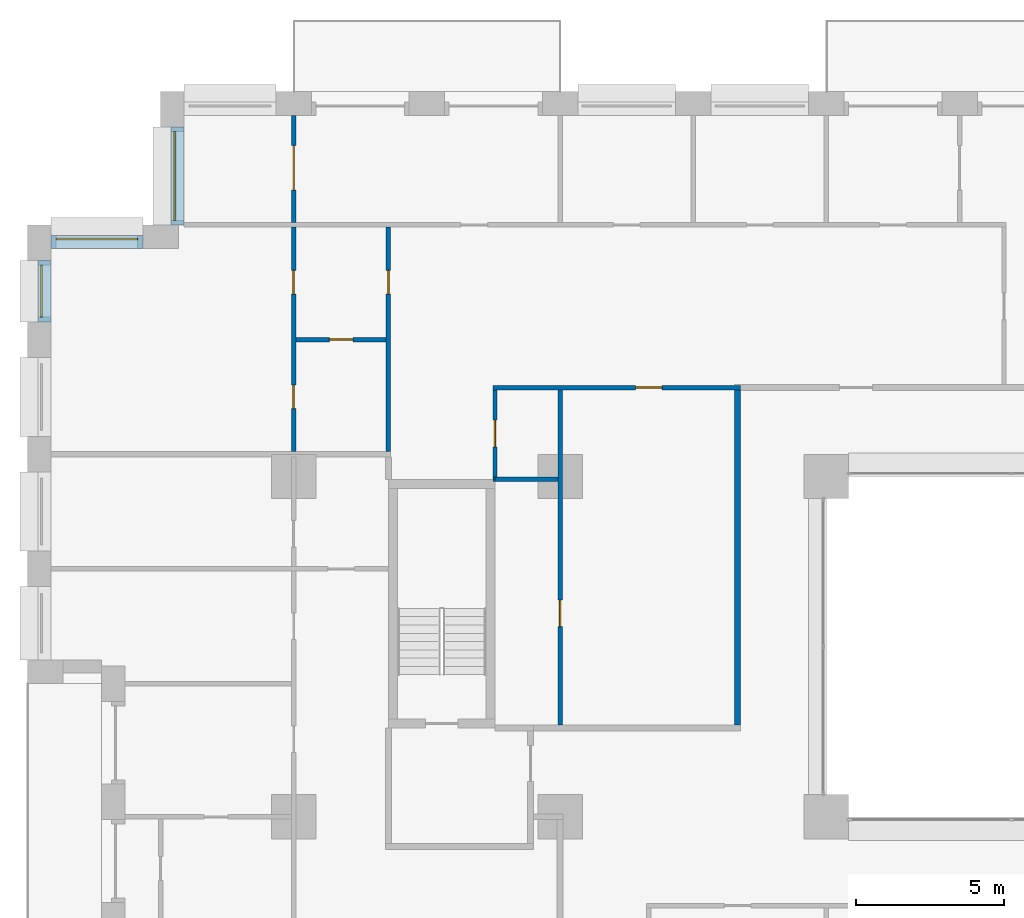
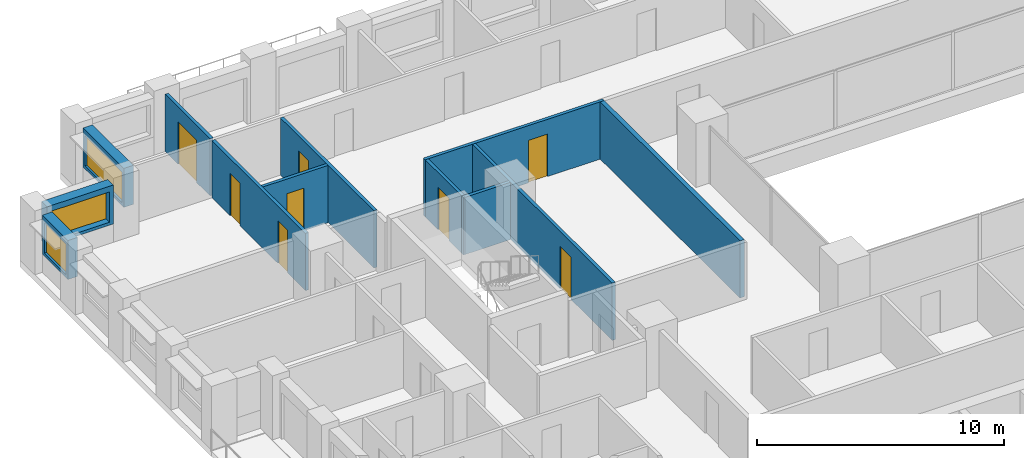
# One storey, part 14 of 20: 13 walls, 8 doors, 3 windows, 11 openings.
"""IFC4 building model written with IfcOpenShell, lengths in metres."""

from ifc_helpers import new_model, si_unit, direction, frame, frame_2d, origin, place, context, subcontext, project, spatial, rectangle, extrude, material, layer, layer_set, type_object, element, fill, save


model = new_model("IFC4")

# Units and contexts
model_context = context("Model", 3, precision=1e-05, world=origin(), true_north=direction((0.0, 1.0)))
body_context = subcontext(model_context, "Body", "Model", "MODEL_VIEW")
ifc_project = project(units=[si_unit("LENGTHUNIT", "METRE"), si_unit("AREAUNIT", "SQUARE_METRE"), si_unit("VOLUMEUNIT", "CUBIC_METRE"), si_unit("PLANEANGLEUNIT", "RADIAN"), si_unit("MASSUNIT", "GRAM", prefix="KILO")], contexts=[model_context])

# Site, building, storey
site_placement = place(None, origin())
site = spatial("IfcSite", under=ifc_project, at=site_placement, CompositionType="ELEMENT")
building_placement = place(site_placement, origin())
building = spatial("IfcBuilding", under=site, at=building_placement, Name="Brigalow Station Residences", CompositionType="ELEMENT")
storey_placement = place(building_placement, frame((0.0, 0.0, 44.699951171875)))
storey = spatial("IfcBuildingStorey", under=building, at=storey_placement, Name="L12", CompositionType="ELEMENT", Elevation=44.699951171875)

# Wall, opening, window
ifc_material_1 = material(Name="Clay brick masonry", Category="masonry")
ifc_layer_1 = layer(ifc_material_1, 0.449951171875)
ifc_layer_set_1 = layer_set([ifc_layer_1], Name="BRICK INFILL WALL 450")
wall_type_1 = type_object("IfcWallType", Name="BRICK INFILL WALL 450", PredefinedType="SOLIDWALL", material=ifc_layer_set_1)
wall_1_placement = place(storey_placement, frame((5.074951171875, 47.300048828125, 0.900146484375), z_axis=(0.0, 0.0, 1.0), x_axis=(0.0, -1.0, 0.0)))
wall_1 = element("IfcWall", 1, at=wall_1_placement, inside=storey, type_object=wall_type_1, Name="L12/ewall/W-L12-40", PredefinedType="SOLIDWALL", context=body_context, shape_type="SweptSolid", body=[
    extrude(rectangle(XDim=3.300048828125, YDim=0.449951171875, at=frame_2d((1.64990234375, 0.0))), origin(), (0.0, 0.0, 1.0), 1.929931640625),
])
opening_1_placement = place(wall_1_placement, frame((0.14990234375, 0.0, 0.14990234375)))
opening_1 = element("IfcOpeningElement", 2, at=opening_1_placement, cuts=wall_1, Name="Opening WT-2", PredefinedType="OPENING", context=body_context, shape_type="SweptSolid", body=[
    extrude(rectangle(XDim=3.0, YDim=1.5, at=frame_2d((1.5, 0.75))), frame((0.0, 0.23486328125, 0.0), z_axis=(0.0, -1.0, 0.0), x_axis=(1.0, 0.0, 0.0)), (0.0, 0.0, 1.0), 0.469970703125),
])
ifc_material_2 = material(Name="Anodised aluminium frame with double glazing", Category="aluminium")
window_type_1 = type_object("IfcWindowType", Name="WINDOW 3000x1500", PartitioningType="SINGLE_PANEL", PredefinedType="WINDOW", material=ifc_material_2)
window_1_placement = place(opening_1_placement, origin())
window_1 = element("IfcWindow", 3, at=window_1_placement, inside=storey, type_object=window_type_1, Name="L12/window/W-L12-40", OverallHeight=1.5, OverallWidth=3.0, PartitioningType="SINGLE_PANEL", PredefinedType="WINDOW", context=body_context, shape_type="SweptSolid", body=[
    extrude(rectangle(XDim=3.0, YDim=1.5, at=frame_2d((1.5, 0.75))), frame((0.0, -0.06494140625, 0.0), z_axis=(0.0, -1.0, 0.0), x_axis=(1.0, 0.0, 0.0)), (0.0, 0.0, 1.0), 0.06005859375),
])
fill(opening_1, window_1)

wall_2_placement = place(storey_placement, frame((3.89990234375, 43.425048828125, 0.900146484375), z_axis=(0.0, 0.0, 1.0), x_axis=(-1.0, 0.0, 0.0)))
wall_2 = element("IfcWall", 4, at=wall_2_placement, inside=storey, type_object=wall_type_1, Name="L12/ewall/W-L12-41", PredefinedType="SOLIDWALL", context=body_context, shape_type="SweptSolid", body=[
    extrude(rectangle(XDim=3.099853515625, YDim=0.449951171875, at=frame_2d((1.5498046875, 0.0))), origin(), (0.0, 0.0, 1.0), 1.929931640625),
])
opening_2_placement = place(wall_2_placement, frame((0.175048828125, 0.0, 0.14990234375)))
opening_2 = element("IfcOpeningElement", 5, at=opening_2_placement, cuts=wall_2, Name="Opening WT-3", PredefinedType="OPENING", context=body_context, shape_type="SweptSolid", body=[
    extrude(rectangle(XDim=2.75, YDim=1.5, at=frame_2d((1.375, 0.75))), frame((0.0, 0.23486328125, 0.0), z_axis=(0.0, -1.0, 0.0), x_axis=(1.0, 0.0, 0.0)), (0.0, 0.0, 1.0), 0.469970703125),
])
ifc_material_3 = material(Name="Anodised aluminium frame with double glazing", Category="aluminium")
window_type_2 = type_object("IfcWindowType", Name="WINDOW 2750x1500", PartitioningType="SINGLE_PANEL", PredefinedType="WINDOW", material=ifc_material_3)
window_2_placement = place(opening_2_placement, origin())
window_2 = element("IfcWindow", 6, at=window_2_placement, inside=storey, type_object=window_type_2, Name="L12/window/W-L12-41", OverallHeight=1.5, OverallWidth=2.75, PartitioningType="SINGLE_PANEL", PredefinedType="WINDOW", context=body_context, shape_type="SweptSolid", body=[
    extrude(rectangle(XDim=2.75, YDim=1.5, at=frame_2d((1.375, 0.75))), frame((0.0, -0.06494140625, 0.0), z_axis=(0.0, -1.0, 0.0), x_axis=(1.0, 0.0, 0.0)), (0.0, 0.0, 1.0), 0.06005859375),
])
fill(opening_2, window_2)

wall_3_placement = place(storey_placement, frame((0.574951171875, 42.800048828125, 0.900146484375), z_axis=(0.0, 0.0, 1.0), x_axis=(0.0, -1.0, 0.0)))
wall_3 = element("IfcWall", 7, at=wall_3_placement, inside=storey, type_object=wall_type_1, Name="L12/ewall/W-L12-42", PredefinedType="SOLIDWALL", context=body_context, shape_type="SweptSolid", body=[
    extrude(rectangle(XDim=2.074951171875, YDim=0.449951171875, at=frame_2d((1.03759765625, 0.0))), origin(), (0.0, 0.0, 1.0), 1.929931640625),
])
opening_3_placement = place(wall_3_placement, frame((0.16259765625, 0.0, 0.14990234375)))
opening_3 = element("IfcOpeningElement", 8, at=opening_3_placement, cuts=wall_3, Name="Opening WT-4", PredefinedType="OPENING", context=body_context, shape_type="SweptSolid", body=[
    extrude(rectangle(XDim=1.75, YDim=1.5, at=frame_2d((0.875, 0.75))), frame((0.0, 0.23486328125, 0.0), z_axis=(0.0, -1.0, 0.0), x_axis=(1.0, 0.0, 0.0)), (0.0, 0.0, 1.0), 0.469970703125),
])
ifc_material_4 = material(Name="Anodised aluminium frame with double glazing", Category="aluminium")
window_type_3 = type_object("IfcWindowType", Name="WINDOW 1750x1500", PartitioningType="SINGLE_PANEL", PredefinedType="WINDOW", material=ifc_material_4)
window_3_placement = place(opening_3_placement, origin())
window_3 = element("IfcWindow", 9, at=window_3_placement, inside=storey, type_object=window_type_3, Name="L12/window/W-L12-42", OverallHeight=1.5, OverallWidth=1.75, PartitioningType="SINGLE_PANEL", PredefinedType="WINDOW", context=body_context, shape_type="SweptSolid", body=[
    extrude(rectangle(XDim=1.75, YDim=1.5, at=frame_2d((0.875, 0.75))), frame((0.0, -0.06494140625, 0.0), z_axis=(0.0, -1.0, 0.0), x_axis=(1.0, 0.0, 0.0)), (0.0, 0.0, 1.0), 0.06005859375),
])
fill(opening_3, window_3)

# Wall, opening, door
ifc_material_5 = material(Name="Plasterboard on steel stud partition", Category="steel")
ifc_layer_2 = layer(ifc_material_5, 0.14990234375)
ifc_layer_set_2 = layer_set([ifc_layer_2], Name="FLAT PARTITION 150")
wall_type_2 = type_object("IfcWallType", Name="FLAT PARTITION 150", PredefinedType="PARTITIONING", material=ifc_layer_set_2)
wall_4_placement = place(storey_placement, frame((15.72509765625, 38.5, 0.0), z_axis=(0.0, 0.0, 1.0), x_axis=(1.0, 0.0, 0.0)))
wall_4 = element("IfcWall", 10, at=wall_4_placement, inside=storey, type_object=wall_type_2, Name="PW-1C09", PredefinedType="PARTITIONING", context=body_context, shape_type="SweptSolid", body=[
    extrude(rectangle(XDim=8.375, YDim=0.14990234375, at=frame_2d((4.1875, 0.0))), origin(), (0.0, 0.0, 1.0), 2.830078125),
])
opening_4_placement = place(wall_4_placement, frame((4.824951171875, 0.0, 0.0)))
opening_4 = element("IfcOpeningElement", 11, at=opening_4_placement, cuts=wall_4, Name="Opening D-1C28", PredefinedType="OPENING", context=body_context, shape_type="SweptSolid", body=[
    extrude(rectangle(XDim=0.89990234375, YDim=2.10009765625, at=frame_2d((0.449951171875, 1.050048828125))), frame((0.0, 0.0849609375, 0.0), z_axis=(0.0, -1.0, 0.0), x_axis=(1.0, 0.0, 0.0)), (0.0, 0.0, 1.0), 0.169921875),
])
ifc_material_6 = material(Name="Solid-core timber door leaf", Category="wood")
door_type_1 = type_object("IfcDoorType", Name="INTERNAL DOOR 900 x 2100", OperationType="SINGLE_SWING_LEFT", PredefinedType="DOOR", material=ifc_material_6)
door_1_placement = place(opening_4_placement, frame((0.89990234375, 0.0, 0.0), z_axis=(0.0, 0.0, 1.0), x_axis=(-1.0, 0.0, 0.0)))
door_1 = element("IfcDoor", 12, at=door_1_placement, inside=storey, type_object=door_type_1, Name="D-1C28", OperationType="SINGLE_SWING_LEFT", OverallHeight=2.10009765625, OverallWidth=0.89990234375, PredefinedType="DOOR", context=body_context, shape_type="SweptSolid", body=[
    extrude(rectangle(XDim=0.89990234375, YDim=2.10009765625, at=frame_2d((0.449951171875, 1.050048828125))), frame((0.0, 0.02490234375, 0.0), z_axis=(0.0, -1.0, 0.0), x_axis=(1.0, 0.0, 0.0)), (0.0, 0.0, 1.0), 0.050048828125),
])
fill(opening_4, door_1)

# Walls
wall_5_placement = place(storey_placement, frame((15.72509765625, 35.39990234375, 0.0), z_axis=(0.0, 0.0, 1.0), x_axis=(1.0, 0.0, 0.0)))
element("IfcWall", 13, at=wall_5_placement, inside=storey, type_object=wall_type_2, Name="PW-1C28", PredefinedType="PARTITIONING", context=body_context, shape_type="SweptSolid", body=[
    extrude(rectangle(XDim=0.074951171875, YDim=0.14990234375, at=frame_2d((0.03759765625, 0.0))), origin(), (0.0, 0.0, 1.0), 2.830078125),
])
wall_6_placement = place(storey_placement, frame((15.800048828125, 35.39990234375, 0.0), z_axis=(0.0, 0.0, 1.0), x_axis=(1.0, 0.0, 0.0)))
element("IfcWall", 14, at=wall_6_placement, inside=storey, type_object=wall_type_2, Name="PW-1C29", PredefinedType="PARTITIONING", context=body_context, shape_type="SweptSolid", body=[
    extrude(rectangle(XDim=2.125, YDim=0.14990234375, at=frame_2d((1.0625, 0.0))), origin(), (0.0, 0.0, 1.0), 2.830078125),
])

# Wall, opening, door
wall_7_placement = place(storey_placement, frame((9.074951171875, 40.125, 0.0), z_axis=(0.0, 0.0, 1.0), x_axis=(1.0, 0.0, 0.0)))
wall_7 = element("IfcWall", 15, at=wall_7_placement, inside=storey, type_object=wall_type_2, Name="PW-1C32", PredefinedType="PARTITIONING", context=body_context, shape_type="SweptSolid", body=[
    extrude(rectangle(XDim=3.050048828125, YDim=0.14990234375, at=frame_2d((1.52490234375, 0.0))), origin(), (0.0, 0.0, 1.0), 2.830078125),
])
opening_5_placement = place(wall_7_placement, frame((1.125, 0.0, 0.0)))
opening_5 = element("IfcOpeningElement", 16, at=opening_5_placement, cuts=wall_7, Name="Opening D-1C22", PredefinedType="OPENING", context=body_context, shape_type="SweptSolid", body=[
    extrude(rectangle(XDim=0.800048828125, YDim=2.10009765625, at=frame_2d((0.39990234375, 1.050048828125))), frame((0.0, 0.0849609375, 0.0), z_axis=(0.0, -1.0, 0.0), x_axis=(1.0, 0.0, 0.0)), (0.0, 0.0, 1.0), 0.169921875),
])
ifc_material_7 = material(Name="Solid-core timber door leaf", Category="wood")
door_type_2 = type_object("IfcDoorType", Name="INTERNAL DOOR 800 x 2100", OperationType="SINGLE_SWING_LEFT", PredefinedType="DOOR", material=ifc_material_7)
door_2_placement = place(opening_5_placement, frame((0.800048828125, 0.0, 0.0), z_axis=(0.0, 0.0, 1.0), x_axis=(-1.0, 0.0, 0.0)))
door_2 = element("IfcDoor", 17, at=door_2_placement, inside=storey, type_object=door_type_2, Name="D-1C22", OperationType="SINGLE_SWING_LEFT", OverallHeight=2.10009765625, OverallWidth=0.800048828125, PredefinedType="DOOR", context=body_context, shape_type="SweptSolid", body=[
    extrude(rectangle(XDim=0.800048828125, YDim=2.10009765625, at=frame_2d((0.39990234375, 1.050048828125))), frame((0.0, 0.02490234375, 0.0), z_axis=(0.0, -1.0, 0.0), x_axis=(1.0, 0.0, 0.0)), (0.0, 0.0, 1.0), 0.050048828125),
])
fill(opening_5, door_2)

wall_8_placement = place(storey_placement, frame((18.0, 27.10009765625, 0.0), z_axis=(0.0, 0.0, 1.0), x_axis=(0.0, 1.0, 0.0)))
wall_8 = element("IfcWall", 18, at=wall_8_placement, inside=storey, type_object=wall_type_2, Name="PW-1C38", PredefinedType="PARTITIONING", context=body_context, shape_type="SweptSolid", body=[
    extrude(rectangle(XDim=11.324951171875, YDim=0.14990234375, at=frame_2d((5.66259765625, 0.0))), origin(), (0.0, 0.0, 1.0), 2.830078125),
])
opening_6_placement = place(wall_8_placement, frame((3.324951171875, 0.0, 0.0)))
opening_6 = element("IfcOpeningElement", 19, at=opening_6_placement, cuts=wall_8, Name="Opening D-1C31", PredefinedType="OPENING", context=body_context, shape_type="SweptSolid", body=[
    extrude(rectangle(XDim=0.89990234375, YDim=2.10009765625, at=frame_2d((0.449951171875, 1.050048828125))), frame((0.0, 0.0849609375, 0.0), z_axis=(0.0, -1.0, 0.0), x_axis=(1.0, 0.0, 0.0)), (0.0, 0.0, 1.0), 0.169921875),
])
door_3_placement = place(opening_6_placement, origin())
door_3 = element("IfcDoor", 20, at=door_3_placement, inside=storey, type_object=door_type_1, Name="D-1C31", OperationType="SINGLE_SWING_LEFT", OverallHeight=2.10009765625, OverallWidth=0.89990234375, PredefinedType="DOOR", context=body_context, shape_type="SweptSolid", body=[
    extrude(rectangle(XDim=0.89990234375, YDim=2.10009765625, at=frame_2d((0.449951171875, 1.050048828125))), frame((0.0, 0.02490234375, 0.0), z_axis=(0.0, -1.0, 0.0), x_axis=(1.0, 0.0, 0.0)), (0.0, 0.0, 1.0), 0.050048828125),
])
fill(opening_6, door_3)

# Wall, openings, doors
wall_9_placement = place(storey_placement, frame((9.0, 36.35009765625, 0.0), z_axis=(0.0, 0.0, 1.0), x_axis=(0.0, 1.0, 0.0)))
wall_9 = element("IfcWall", 21, at=wall_9_placement, inside=storey, type_object=wall_type_2, Name="PW-1C56", PredefinedType="PARTITIONING", context=body_context, shape_type="SweptSolid", body=[
    extrude(rectangle(XDim=7.574951171875, YDim=0.14990234375, at=frame_2d((3.78759765625, 0.0))), origin(), (0.0, 0.0, 1.0), 2.830078125),
])
opening_7_placement = place(wall_9_placement, frame((5.31201171875, 0.0, 0.0)))
opening_7 = element("IfcOpeningElement", 22, at=opening_7_placement, cuts=wall_9, Name="Opening D-1C24", PredefinedType="OPENING", context=body_context, shape_type="SweptSolid", body=[
    extrude(rectangle(XDim=0.800048828125, YDim=2.10009765625, at=frame_2d((0.39990234375, 1.050048828125))), frame((0.0, 0.0849609375, 0.0), z_axis=(0.0, -1.0, 0.0), x_axis=(1.0, 0.0, 0.0)), (0.0, 0.0, 1.0), 0.169921875),
])
opening_8_placement = place(wall_9_placement, frame((1.43798828125, 0.0, 0.0)))
opening_8 = element("IfcOpeningElement", 23, at=opening_8_placement, cuts=wall_9, Name="Opening D-1C25", PredefinedType="OPENING", context=body_context, shape_type="SweptSolid", body=[
    extrude(rectangle(XDim=0.800048828125, YDim=2.10009765625, at=frame_2d((0.39990234375, 1.050048828125))), frame((0.0, 0.0849609375, 0.0), z_axis=(0.0, -1.0, 0.0), x_axis=(1.0, 0.0, 0.0)), (0.0, 0.0, 1.0), 0.169921875),
])
door_4_placement = place(opening_7_placement, frame((0.800048828125, 0.0, 0.0), z_axis=(0.0, 0.0, 1.0), x_axis=(-1.0, 0.0, 0.0)))
door_4 = element("IfcDoor", 24, at=door_4_placement, inside=storey, type_object=door_type_2, Name="D-1C24", OperationType="SINGLE_SWING_RIGHT", OverallHeight=2.10009765625, OverallWidth=0.800048828125, PredefinedType="DOOR", context=body_context, shape_type="SweptSolid", body=[
    extrude(rectangle(XDim=0.800048828125, YDim=2.10009765625, at=frame_2d((0.39990234375, 1.050048828125))), frame((0.0, 0.02490234375, 0.0), z_axis=(0.0, -1.0, 0.0), x_axis=(1.0, 0.0, 0.0)), (0.0, 0.0, 1.0), 0.050048828125),
])
fill(opening_7, door_4)
door_5_placement = place(opening_8_placement, frame((0.800048828125, 0.0, 0.0), z_axis=(0.0, 0.0, 1.0), x_axis=(-1.0, 0.0, 0.0)))
door_5 = element("IfcDoor", 25, at=door_5_placement, inside=storey, type_object=door_type_2, Name="D-1C25", OperationType="SINGLE_SWING_RIGHT", OverallHeight=2.10009765625, OverallWidth=0.800048828125, PredefinedType="DOOR", context=body_context, shape_type="SweptSolid", body=[
    extrude(rectangle(XDim=0.800048828125, YDim=2.10009765625, at=frame_2d((0.39990234375, 1.050048828125))), frame((0.0, 0.02490234375, 0.0), z_axis=(0.0, -1.0, 0.0), x_axis=(1.0, 0.0, 0.0)), (0.0, 0.0, 1.0), 0.050048828125),
])
fill(opening_8, door_5)

# Wall, opening, door
wall_10_placement = place(storey_placement, frame((9.0, 44.074951171875, 0.0), z_axis=(0.0, 0.0, 1.0), x_axis=(0.0, 1.0, 0.0)))
wall_10 = element("IfcWall", 26, at=wall_10_placement, inside=storey, type_object=wall_type_2, Name="PW-1C57", PredefinedType="PARTITIONING", context=body_context, shape_type="SweptSolid", body=[
    extrude(rectangle(XDim=3.625, YDim=0.14990234375, at=frame_2d((1.8125, 0.0))), origin(), (0.0, 0.0, 1.0), 2.830078125),
])
opening_9_placement = place(wall_10_placement, frame((1.10009765625, 0.0, 0.0)))
opening_9 = element("IfcOpeningElement", 27, at=opening_9_placement, cuts=wall_10, Name="Opening D-1C21", PredefinedType="OPENING", context=body_context, shape_type="SweptSolid", body=[
    extrude(rectangle(XDim=1.5, YDim=2.10009765625, at=frame_2d((0.75, 1.050048828125))), frame((0.0, 0.0849609375, 0.0), z_axis=(0.0, -1.0, 0.0), x_axis=(1.0, 0.0, 0.0)), (0.0, 0.0, 1.0), 0.169921875),
])
ifc_material_8 = material(Name="Solid-core timber door leaf", Category="wood")
door_type_3 = type_object("IfcDoorType", Name="INTERNAL DOUBLE DOOR 1500 x 2100", OperationType="DOUBLE_DOOR_SINGLE_SWING", PredefinedType="DOOR", material=ifc_material_8)
door_6_placement = place(opening_9_placement, origin())
door_6 = element("IfcDoor", 28, at=door_6_placement, inside=storey, type_object=door_type_3, Name="D-1C21", OperationType="DOUBLE_DOOR_SINGLE_SWING", OverallHeight=2.10009765625, OverallWidth=1.5, PredefinedType="DOOR", context=body_context, shape_type="SweptSolid", body=[
    extrude(rectangle(XDim=1.5, YDim=2.10009765625, at=frame_2d((0.75, 1.050048828125))), frame((0.0, 0.02490234375, 0.0), z_axis=(0.0, -1.0, 0.0), x_axis=(1.0, 0.0, 0.0)), (0.0, 0.0, 1.0), 0.050048828125),
])
fill(opening_9, door_6)

wall_11_placement = place(storey_placement, frame((12.199951171875, 36.35009765625, 0.0), z_axis=(0.0, 0.0, 1.0), x_axis=(0.0, 1.0, 0.0)))
wall_11 = element("IfcWall", 29, at=wall_11_placement, inside=storey, type_object=wall_type_2, Name="PW-1C58", PredefinedType="PARTITIONING", context=body_context, shape_type="SweptSolid", body=[
    extrude(rectangle(XDim=7.574951171875, YDim=0.14990234375, at=frame_2d((3.78759765625, 0.0))), origin(), (0.0, 0.0, 1.0), 2.830078125),
])
opening_10_placement = place(wall_11_placement, frame((5.31201171875, 0.0, 0.0)))
opening_10 = element("IfcOpeningElement", 30, at=opening_10_placement, cuts=wall_11, Name="Opening D-1C23", PredefinedType="OPENING", context=body_context, shape_type="SweptSolid", body=[
    extrude(rectangle(XDim=0.800048828125, YDim=2.10009765625, at=frame_2d((0.39990234375, 1.050048828125))), frame((0.0, 0.0849609375, 0.0), z_axis=(0.0, -1.0, 0.0), x_axis=(1.0, 0.0, 0.0)), (0.0, 0.0, 1.0), 0.169921875),
])
door_7_placement = place(opening_10_placement, origin())
door_7 = element("IfcDoor", 31, at=door_7_placement, inside=storey, type_object=door_type_2, Name="D-1C23", OperationType="SINGLE_SWING_LEFT", OverallHeight=2.10009765625, OverallWidth=0.800048828125, PredefinedType="DOOR", context=body_context, shape_type="SweptSolid", body=[
    extrude(rectangle(XDim=0.800048828125, YDim=2.10009765625, at=frame_2d((0.39990234375, 1.050048828125))), frame((0.0, 0.02490234375, 0.0), z_axis=(0.0, -1.0, 0.0), x_axis=(1.0, 0.0, 0.0)), (0.0, 0.0, 1.0), 0.050048828125),
])
fill(opening_10, door_7)

wall_12_placement = place(storey_placement, frame((15.800048828125, 35.47509765625, 0.0), z_axis=(0.0, 0.0, 1.0), x_axis=(0.0, 1.0, 0.0)))
wall_12 = element("IfcWall", 32, at=wall_12_placement, inside=storey, type_object=wall_type_2, Name="PW-1C61", PredefinedType="PARTITIONING", context=body_context, shape_type="SweptSolid", body=[
    extrude(rectangle(XDim=2.949951171875, YDim=0.14990234375, at=frame_2d((1.47509765625, 0.0))), origin(), (0.0, 0.0, 1.0), 2.830078125),
])
opening_11_placement = place(wall_12_placement, frame((1.02490234375, 0.0, 0.0)))
opening_11 = element("IfcOpeningElement", 33, at=opening_11_placement, cuts=wall_12, Name="Opening D-1C30", PredefinedType="OPENING", context=body_context, shape_type="SweptSolid", body=[
    extrude(rectangle(XDim=0.89990234375, YDim=2.10009765625, at=frame_2d((0.449951171875, 1.050048828125))), frame((0.0, 0.0849609375, 0.0), z_axis=(0.0, -1.0, 0.0), x_axis=(1.0, 0.0, 0.0)), (0.0, 0.0, 1.0), 0.169921875),
])
door_8_placement = place(opening_11_placement, frame((0.89990234375, 0.0, 0.0), z_axis=(0.0, 0.0, 1.0), x_axis=(-1.0, 0.0, 0.0)))
door_8 = element("IfcDoor", 34, at=door_8_placement, inside=storey, type_object=door_type_1, Name="D-1C30", OperationType="SINGLE_SWING_LEFT", OverallHeight=2.10009765625, OverallWidth=0.89990234375, PredefinedType="DOOR", context=body_context, shape_type="SweptSolid", body=[
    extrude(rectangle(XDim=0.89990234375, YDim=2.10009765625, at=frame_2d((0.449951171875, 1.050048828125))), frame((0.0, 0.02490234375, 0.0), z_axis=(0.0, -1.0, 0.0), x_axis=(1.0, 0.0, 0.0)), (0.0, 0.0, 1.0), 0.050048828125),
])
fill(opening_11, door_8)

# Wall
ifc_material_9 = material(Name="Plasterboard on steel stud partition", Category="steel")
ifc_layer_3 = layer(ifc_material_9, 0.199951171875)
ifc_layer_set_3 = layer_set([ifc_layer_3], Name="PARTY AND CORRIDOR WALL 200")
wall_type_3 = type_object("IfcWallType", Name="PARTY AND CORRIDOR WALL 200", PredefinedType="PARTITIONING", material=ifc_layer_set_3)
wall_13_placement = place(storey_placement, frame((24.0, 27.10009765625, 0.0), z_axis=(0.0, 0.0, 1.0), x_axis=(0.0, 1.0, 0.0)))
element("IfcWall", 35, at=wall_13_placement, inside=storey, type_object=wall_type_3, Name="PW-1C47", PredefinedType="PARTITIONING", context=body_context, shape_type="SweptSolid", body=[
    extrude(rectangle(XDim=11.324951171875, YDim=0.199951171875, at=frame_2d((5.66259765625, 0.0))), origin(), (0.0, 0.0, 1.0), 2.830078125),
])

save(model, "model.ifc")
